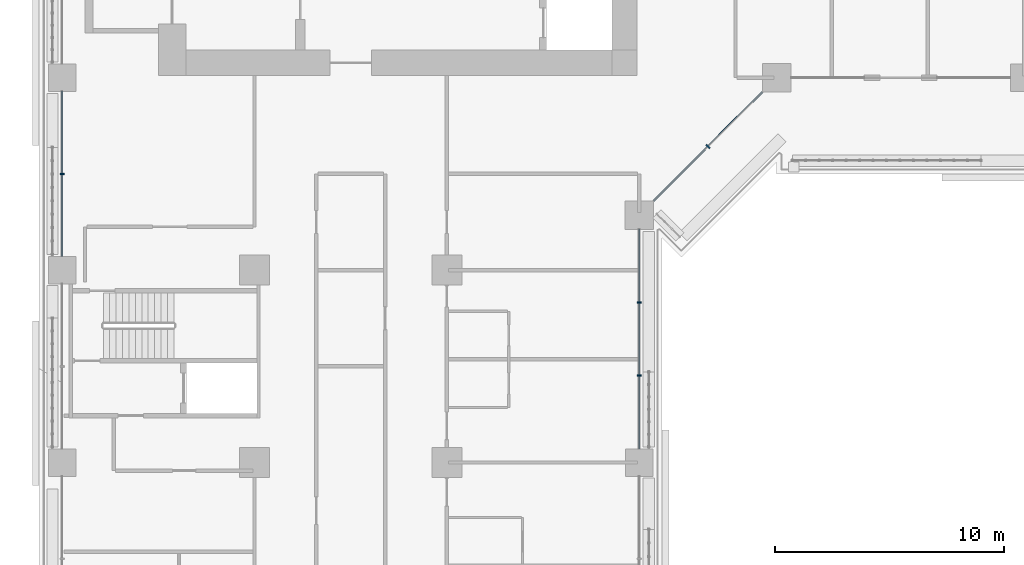
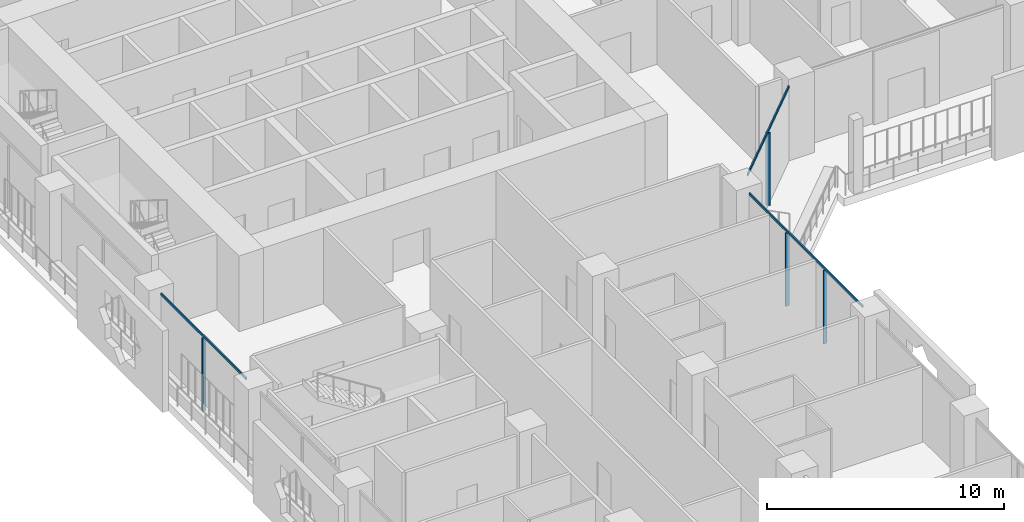
# One storey, part 4 of 29: 7 members, 3 elements without a shape of their own.
"""IFC4 building model written with IfcOpenShell, lengths in metres."""

from ifc_helpers import new_model, si_unit, direction, frame, origin, origin_2d, place, context, subcontext, project, spatial, rectangle, extrude, material, layer, layer_set, material_profile, profile_set, type_object, element, aggregate, save


model = new_model("IFC4")

# Units and contexts
model_context = context("Model", 3, precision=1e-05, world=origin(), true_north=direction((0.0, 1.0)))
body_context = subcontext(model_context, "Body", "Model", "MODEL_VIEW")
ifc_project = project(units=[si_unit("LENGTHUNIT", "METRE"), si_unit("AREAUNIT", "SQUARE_METRE"), si_unit("VOLUMEUNIT", "CUBIC_METRE"), si_unit("PLANEANGLEUNIT", "RADIAN"), si_unit("MASSUNIT", "GRAM", prefix="KILO")], contexts=[model_context])

# Site, building, storey
site_placement = place(None, origin())
site = spatial("IfcSite", under=ifc_project, at=site_placement, CompositionType="ELEMENT")
building_placement = place(site_placement, origin())
building = spatial("IfcBuilding", under=site, at=building_placement, Name="Kawkab Arch Medical Tower", CompositionType="ELEMENT")
storey_placement = place(building_placement, frame((0.0, 0.0, 64.39990234375)))
storey = spatial("IfcBuildingStorey", under=building, at=storey_placement, Name="L14", CompositionType="ELEMENT", Elevation=64.39990234375)

# Curtain wall, member
ifc_material_1 = material(Name="Bronze anodised aluminium curtain wall frame", Category="aluminium")
ifc_layer_1 = layer(ifc_material_1, 0.159912109375)
ifc_layer_set_1 = layer_set([ifc_layer_1], Name="Bronze anodised aluminium curtain wall frame")
curtain_wall_type_1 = type_object("IfcCurtainWallType", Name="CW1 ward curtain wall", PredefinedType="NOTDEFINED", material=ifc_layer_set_1)
placement = place(storey_placement, origin())
curtain_wall_1 = element("IfcCurtainWall", 1, at=placement, inside=storey, type_object=curtain_wall_type_1, Name="CW1 Ward curtain wall R01", PredefinedType="NOTDEFINED")
ifc_material_2 = material(Name="Bronze anodised aluminium curtain wall frame", Category="aluminium")
ifc_material_profile_1 = material_profile(ifc_material_2, rectangle(XDim=0.179931640625, YDim=0.06005859375, at=origin_2d()), Name="AL 60x180")
ifc_profile_set_1 = profile_set([ifc_material_profile_1], Name="Bronze anodised aluminium curtain wall frame")
member_type_1 = type_object("IfcMemberType", Name="CW1 mullion 60 x 180", PredefinedType="MULLION", material=ifc_profile_set_1)
member_1_placement = place(storey_placement, frame((0.0, -29.39990234375, 0.0), z_axis=(0.0, 0.0, 1.0), x_axis=(1.0, 0.0, 0.0)))
member_1 = element("IfcMember", 2, at=member_1_placement, type_object=member_type_1, Name="CW1 mullion 3.1", PredefinedType="MULLION", context=body_context, shape_type="SweptSolid", body=[
    extrude(rectangle(XDim=0.179931640625, YDim=0.06005859375, at=origin_2d()), origin(), (0.0, 0.0, 1.0), 3.780029296875),
])

# Curtain wall, members
curtain_wall_2 = element("IfcCurtainWall", 3, at=placement, inside=storey, type_object=curtain_wall_type_1, Name="CW1 Ward curtain wall R05", PredefinedType="NOTDEFINED")
member_2_placement = place(storey_placement, frame((25.199951171875, -38.208251953125, 0.0), z_axis=(0.0, 0.0, 1.0), x_axis=(-1.0, 0.0, 0.0)))
member_2 = element("IfcMember", 4, at=member_2_placement, type_object=member_type_1, Name="CW1 mullion 4.1", PredefinedType="MULLION", context=body_context, shape_type="SweptSolid", body=[
    extrude(rectangle(XDim=0.179931640625, YDim=0.06005859375, at=origin_2d()), origin(), (0.0, 0.0, 1.0), 3.780029296875),
])
member_3_placement = place(storey_placement, frame((25.199951171875, -35.0166015625, 0.0), z_axis=(0.0, 0.0, 1.0), x_axis=(-1.0, 0.0, 0.0)))
member_3 = element("IfcMember", 5, at=member_3_placement, type_object=member_type_1, Name="CW1 mullion 4.2", PredefinedType="MULLION", context=body_context, shape_type="SweptSolid", body=[
    extrude(rectangle(XDim=0.179931640625, YDim=0.06005859375, at=origin_2d()), origin(), (0.0, 0.0, 1.0), 3.780029296875),
])

# Member
ifc_material_3 = material(Name="Bronze anodised aluminium curtain wall frame", Category="aluminium")
ifc_material_profile_2 = material_profile(ifc_material_3, rectangle(XDim=0.06005859375, YDim=0.1201171875, at=origin_2d()), Name="AL 60x120")
ifc_profile_set_2 = profile_set([ifc_material_profile_2], Name="Bronze anodised aluminium curtain wall frame")
member_type_2 = type_object("IfcMemberType", Name="CW1 transom 120 x 60", PredefinedType="USERDEFINED", material=ifc_profile_set_2)
member_4_placement = place(storey_placement, frame((0.0, -25.800048828125, 3.840087890625), z_axis=(0.0, -1.0, 0.0), x_axis=(1.0, 0.0, 0.0)))
member_4 = element("IfcMember", 6, at=member_4_placement, type_object=member_type_2, Name="CW1 transom 3", ObjectType="TRANSOM", PredefinedType="USERDEFINED", context=body_context, shape_type="SweptSolid", body=[
    extrude(rectangle(XDim=0.06005859375, YDim=0.1201171875, at=origin_2d()), origin(), (0.0, 0.0, 1.0), 7.199951171875),
])

aggregate(curtain_wall_1, [member_4, member_1])

member_5_placement = place(storey_placement, frame((25.199951171875, -41.39990234375, 3.840087890625), z_axis=(0.0, 1.0, 0.0), x_axis=(-1.0, 0.0, 0.0)))
member_5 = element("IfcMember", 7, at=member_5_placement, type_object=member_type_2, Name="CW1 transom 4", ObjectType="TRANSOM", PredefinedType="USERDEFINED", context=body_context, shape_type="SweptSolid", body=[
    extrude(rectangle(XDim=0.06005859375, YDim=0.1201171875, at=origin_2d()), origin(), (0.0, 0.0, 1.0), 9.574951171875),
])

aggregate(curtain_wall_2, [member_5, member_2, member_3])

# Curtain wall, members
ifc_material_4 = material(Name="Bronze anodised aluminium curtain wall frame", Category="aluminium")
ifc_layer_2 = layer(ifc_material_4, 0.159912109375)
ifc_layer_set_2 = layer_set([ifc_layer_2], Name="Bronze anodised aluminium curtain wall frame")
curtain_wall_type_2 = type_object("IfcCurtainWallType", Name="CW2 chamfer curtain wall", PredefinedType="NOTDEFINED", material=ifc_layer_set_2)
curtain_wall_3 = element("IfcCurtainWall", 8, at=placement, inside=storey, type_object=curtain_wall_type_2, Name="CW2 Chamfer curtain wall R06", PredefinedType="NOTDEFINED")
ifc_material_5 = material(Name="Bronze anodised aluminium curtain wall frame", Category="aluminium")
ifc_material_profile_3 = material_profile(ifc_material_5, rectangle(XDim=0.199951171875, YDim=0.06005859375, at=origin_2d()), Name="AL 60x200")
ifc_profile_set_3 = profile_set([ifc_material_profile_3], Name="Bronze anodised aluminium curtain wall frame")
member_type_3 = type_object("IfcMemberType", Name="CW2 mullion 60 x 200", PredefinedType="MULLION", material=ifc_profile_set_3)
member_6_placement = place(storey_placement, frame((28.199951171875, -28.199951171875, 0.0), z_axis=(0.0, 0.0, 1.0), x_axis=(-0.707106781187, 0.707106781187, 0.0)))
member_6 = element("IfcMember", 9, at=member_6_placement, type_object=member_type_3, Name="CW2 mullion 1.1", PredefinedType="MULLION", context=body_context, shape_type="SweptSolid", body=[
    extrude(rectangle(XDim=0.199951171875, YDim=0.06005859375, at=origin_2d()), origin(), (0.0, 0.0, 1.0), 3.760009765625),
])
ifc_material_6 = material(Name="Bronze anodised aluminium curtain wall frame", Category="aluminium")
ifc_material_profile_4 = material_profile(ifc_material_6, rectangle(XDim=0.06005859375, YDim=0.139892578125, at=origin_2d()), Name="AL 60x140")
ifc_profile_set_4 = profile_set([ifc_material_profile_4], Name="Bronze anodised aluminium curtain wall frame")
member_type_4 = type_object("IfcMemberType", Name="CW2 transom 140 x 60", PredefinedType="USERDEFINED", material=ifc_profile_set_4)
member_7_placement = place(storey_placement, frame((25.824951171875, -30.574951171875, 3.830078125), z_axis=(0.707106781187, 0.707106781187, 0.0), x_axis=(-0.707106781187, 0.707106781187, 0.0)))
member_7 = element("IfcMember", 10, at=member_7_placement, type_object=member_type_4, Name="CW2 transom 1", ObjectType="TRANSOM", PredefinedType="USERDEFINED", context=body_context, shape_type="SweptSolid", body=[
    extrude(rectangle(XDim=0.06005859375, YDim=0.139892578125, at=origin_2d()), origin(), (0.0, 0.0, 1.0), 6.717529296875),
])
aggregate(curtain_wall_3, [member_7, member_6])

save(model, "model.ifc")
